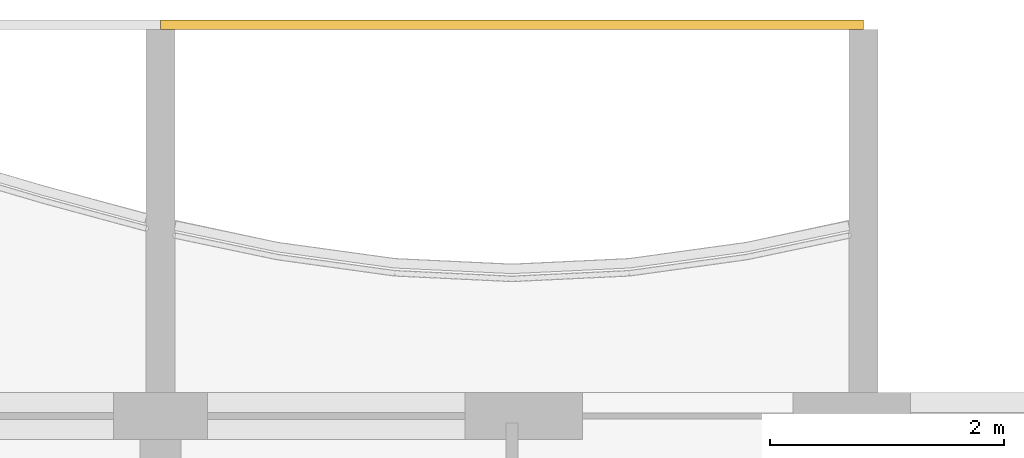
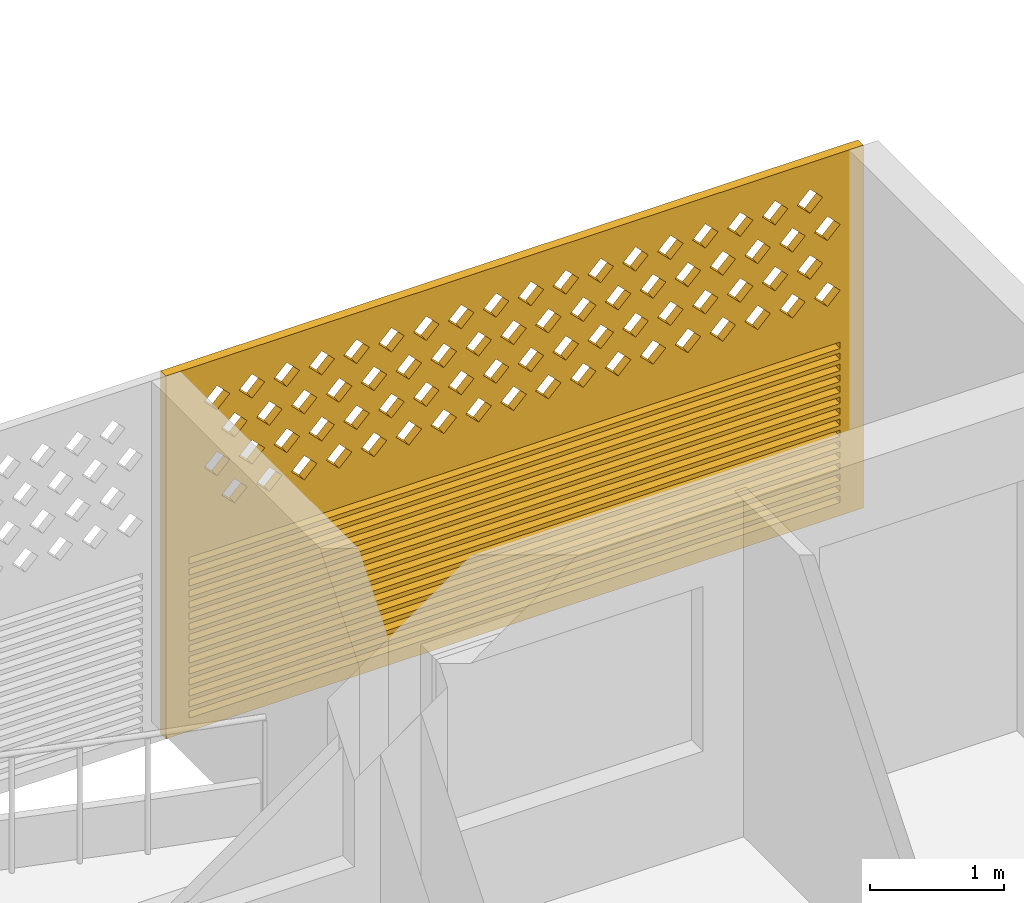
# One storey, part 24 of 31: 1 covering.
"""IFC4 building model written with IfcOpenShell, lengths in metres."""

import ifcopenshell
import ifcopenshell.guid

model = None  # the IFC model being written
_history = None  # IfcOwnerHistory: only IFC2X3 demands one
_inside = {}  # id of a spatial element -> (the spatial element, [elements in it])
_under = {}  # id of a project, library or spatial element -> (it, [spatial elements below it])
_declared = {}  # id of a project -> (the project, [libraries it declares])
_typed = {}  # id of a type object -> (the type object, [elements of that type])
_made_of = {}  # id of a material, layer set ... -> (it, [elements and type objects made of it])


def new_model(schema):
    """Start an empty IFC model of exactly this schema.

    Asked for "IFC4X3", IfcOpenShell would pick the latest addendum, in which some entities
    have other attributes; the version numbers below select the first issue.
    IFC2X3 requires an IfcOwnerHistory on every rooted entity: one is made here for all.
    """
    global model, _history
    if schema == "IFC4X3":
        model = ifcopenshell.file(schema_version=(4, 3, 0, 0))
    else:
        model = ifcopenshell.file(schema=schema)
    _inside.clear()
    _under.clear()
    _declared.clear()
    _typed.clear()
    _made_of.clear()
    _history = None
    if model.schema == "IFC2X3":
        org = make("IfcOrganization", Name="unknown")
        user = make(
            "IfcPersonAndOrganization",
            ThePerson=make("IfcPerson", FamilyName="unknown"),
            TheOrganization=org,
        )
        app = make(
            "IfcApplication",
            ApplicationDeveloper=org,
            Version="unknown",
            ApplicationFullName="unknown",
            ApplicationIdentifier="unknown",
        )
        _history = make(
            "IfcOwnerHistory",
            OwningUser=user,
            OwningApplication=app,
            ChangeAction="ADDED",
            CreationDate=0,
        )
    return model


def make(cls, **values):
    """One entity of the class cls with the attributes given. An attribute that is None is left unset."""
    return model.create_entity(
        cls, **{name: value for name, value in values.items() if value is not None}
    )


def rooted(cls, **values):
    """An entity with a GlobalId (a new one), such as an element, a storey or a relation."""
    return make(cls, GlobalId=ifcopenshell.guid.new(), OwnerHistory=_history, **values)


def si_unit(unit_type, name, prefix=None):
    """IfcSIUnit, for example si_unit("LENGTHUNIT", "METRE", prefix="MILLI")."""
    return make("IfcSIUnit", UnitType=unit_type, Prefix=prefix, Name=name)


def assignment(units):
    """IfcUnitAssignment: the units of a project."""
    return None if units is None else make("IfcUnitAssignment", Units=units)


def point(xyz):
    """IfcCartesianPoint."""
    return None if xyz is None else make("IfcCartesianPoint", Coordinates=xyz)


def direction(xyz):
    """IfcDirection."""
    return None if xyz is None else make("IfcDirection", DirectionRatios=xyz)


def frame(location, z_axis=None, x_axis=None):
    """IfcAxis2Placement3D, a coordinate frame: its origin and axes. An axis left out is left unset."""
    return make(
        "IfcAxis2Placement3D",
        Location=point(location),
        Axis=direction(z_axis),
        RefDirection=direction(x_axis),
    )


def origin():
    """The frame at (0, 0, 0) with its axes left unset."""
    return frame((0.0, 0.0, 0.0))


def place(relative_to, where):
    """IfcLocalPlacement: puts the frame where relative to a parent placement (None: the world)."""
    return make(
        "IfcLocalPlacement", PlacementRelTo=relative_to, RelativePlacement=where
    )


def context(
    kind, dimensions, precision=None, world=None, true_north=None, identifier=None
):
    """IfcGeometricRepresentationContext, for example the 3D "Model" context."""
    return make(
        "IfcGeometricRepresentationContext",
        ContextIdentifier=identifier,
        ContextType=kind,
        CoordinateSpaceDimension=dimensions,
        Precision=precision,
        WorldCoordinateSystem=world,
        TrueNorth=true_north,
    )


def subcontext(parent, identifier, kind, view, scale=None):
    """IfcGeometricRepresentationSubContext, for example "Body" below "Model"."""
    return make(
        "IfcGeometricRepresentationSubContext",
        ContextIdentifier=identifier,
        ContextType=kind,
        ParentContext=parent,
        TargetScale=scale,
        TargetView=view,
    )


def project(units=None, contexts=None):
    """IfcProject with its units and contexts."""
    return rooted(
        "IfcProject",
        Name="project",
        RepresentationContexts=contexts,
        UnitsInContext=assignment(units),
    )


def spatial(cls, under=None, at=None, **own):
    """A site, building, storey or space (cls), placed at a placement, below another one or the project."""
    s = rooted(cls, ObjectPlacement=at, **own)
    if under is not None:
        _under.setdefault(under.id(), (under, []))[1].append(s)
    return s


def polyline(points):
    """IfcPolyline through the points."""
    return make("IfcPolyline", Points=[point(p) for p in points])


def outline(outer, holes=None, kind="AREA"):
    """IfcArbitraryClosedProfileDef: a profile drawn as a closed curve; with holes, ...WithVoids."""
    if holes is None:
        return make("IfcArbitraryClosedProfileDef", ProfileType=kind, OuterCurve=outer)
    return make(
        "IfcArbitraryProfileDefWithVoids",
        ProfileType=kind,
        OuterCurve=outer,
        InnerCurves=holes,
    )


def extrude(swept, where, along, depth):
    """IfcExtrudedAreaSolid: the profile swept, set in the frame where, extruded along a direction by depth."""
    return make(
        "IfcExtrudedAreaSolid",
        SweptArea=swept,
        Position=where,
        ExtrudedDirection=direction(along),
        Depth=depth,
    )


def shape(context_of_items, identifier, shape_type, items):
    """IfcShapeRepresentation: the items that make up one representation, for example the "Body"."""
    return make(
        "IfcShapeRepresentation",
        ContextOfItems=context_of_items,
        RepresentationIdentifier=identifier,
        RepresentationType=shape_type,
        Items=items,
    )


def source(mapping_origin, context_of_items, identifier, shape_type, items):
    """IfcRepresentationMap: a shape defined once, which mapped items show again and again."""
    return make(
        "IfcRepresentationMap",
        MappingOrigin=mapping_origin,
        MappedRepresentation=shape(context_of_items, identifier, shape_type, items),
    )


def transform(
    local_origin,
    x_axis=None,
    y_axis=None,
    z_axis=None,
    scale=None,
    scale2=None,
    scale3=None,
    uniform=True,
):
    """IfcCartesianTransformationOperator3D, or its non-uniform kind. x_axis, y_axis, z_axis: its Axis1, 2, 3."""
    if uniform:
        return make(
            "IfcCartesianTransformationOperator3D",
            Axis1=direction(x_axis),
            Axis2=direction(y_axis),
            LocalOrigin=point(local_origin),
            Scale=scale,
            Axis3=direction(z_axis),
        )
    return make(
        "IfcCartesianTransformationOperator3DnonUniform",
        Axis1=direction(x_axis),
        Axis2=direction(y_axis),
        LocalOrigin=point(local_origin),
        Scale=scale,
        Axis3=direction(z_axis),
        Scale2=scale2,
        Scale3=scale3,
    )


def mapped(mapping_source, mapping_target):
    """IfcMappedItem: shows the shape of a source again, moved by a transform."""
    return make(
        "IfcMappedItem", MappingSource=mapping_source, MappingTarget=mapping_target
    )


def material(Name=None, Category=None):
    """IfcMaterial."""
    return make("IfcMaterial", Name=Name, Category=Category)


def material_profile(
    of_material, cross_section, Name=None, Category=None, Priority=None
):
    """IfcMaterialProfile: a cross section and its material."""
    return make(
        "IfcMaterialProfile",
        Name=Name,
        Material=of_material,
        Profile=cross_section,
        Priority=Priority,
        Category=Category,
    )


def profile_set(profiles, Name=None, composite=None):
    """IfcMaterialProfileSet."""
    return make(
        "IfcMaterialProfileSet",
        Name=Name,
        MaterialProfiles=profiles,
        CompositeProfile=composite,
    )


def made_of(thing, what):
    """Note that an element or type object is made of a material, layer set ...; save() writes the relation."""
    if what is not None:
        _made_of.setdefault(what.id(), (what, []))[1].append(thing)
    return thing


def type_object(cls, material=None, **own):
    """A type object (cls), such as IfcWallType, which elements share."""
    return made_of(rooted(cls, **own), material)


def element(
    cls,
    number,
    at=None,
    inside=None,
    cuts=None,
    type_object=None,
    material=None,
    context=None,
    identifier="Body",
    shape_type=None,
    held_by="IfcProductDefinitionShape",
    body=None,
    shapes=None,
    **own,
):
    """One element of the class cls, such as IfcWall. Its Tag is "e" and its number.

    at: its placement. inside: the storey or other place that contains it. cuts: it is an
    opening in that element (IfcRelVoidsElement). A single representation is given by context,
    identifier, shape_type and body (its items); several are given by shapes. held_by: the class
    of the entity that holds the representations. save() writes the other relations.
    """
    e = rooted(cls, Tag="e%d" % number, ObjectPlacement=at, **own)
    if body is not None:
        shapes = [shape(context, identifier, shape_type, body)]
    if shapes is not None:
        e.Representation = make(held_by, Representations=shapes)
    if inside is not None:
        _inside.setdefault(inside.id(), (inside, []))[1].append(e)
    if cuts is not None:
        rooted(
            "IfcRelVoidsElement", RelatingBuildingElement=cuts, RelatedOpeningElement=e
        )
    if type_object is not None:
        _typed.setdefault(type_object.id(), (type_object, []))[1].append(e)
    return made_of(e, material)


def aggregate(whole, parts):
    """IfcRelAggregates: a whole, such as a stair, and the parts it consists of."""
    return rooted("IfcRelAggregates", RelatingObject=whole, RelatedObjects=parts)


def save(model, path):
    """Write the relations noted so far, then the file.

    IfcRelAggregates (storeys below a building ...), IfcRelContainedInSpatialStructure (elements
    in a storey), IfcRelDefinesByType, IfcRelAssociatesMaterial and IfcRelDeclares: one each for
    every whole, place, type object, material and project.
    """
    for whole, parts in _under.values():
        aggregate(whole, parts)
    for where, things in _inside.values():
        rooted(
            "IfcRelContainedInSpatialStructure",
            RelatedElements=things,
            RelatingStructure=where,
        )
    for kind, things in _typed.values():
        rooted("IfcRelDefinesByType", RelatedObjects=things, RelatingType=kind)
    for what, things in _made_of.values():
        rooted("IfcRelAssociatesMaterial", RelatedObjects=things, RelatingMaterial=what)
    for by, libraries in _declared.values():
        rooted("IfcRelDeclares", RelatingContext=by, RelatedDefinitions=libraries)
    model.write(path)


model = new_model("IFC4")

# Units and contexts
model_context = context("Model", 3, precision=1e-05, world=origin(), true_north=direction((0.0, 1.0)))
body_context = subcontext(model_context, "Body", "Model", "MODEL_VIEW")
ifc_project = project(units=[si_unit("LENGTHUNIT", "METRE"), si_unit("AREAUNIT", "SQUARE_METRE"), si_unit("VOLUMEUNIT", "CUBIC_METRE"), si_unit("PLANEANGLEUNIT", "RADIAN"), si_unit("MASSUNIT", "GRAM", prefix="KILO")], contexts=[model_context])

# Site, building, storey
site_placement = place(None, origin())
site = spatial("IfcSite", under=ifc_project, at=site_placement, CompositionType="ELEMENT")
building_placement = place(site_placement, origin())
building = spatial("IfcBuilding", under=site, at=building_placement, Name="Poui Terraces", CompositionType="ELEMENT")
storey_placement = place(building_placement, frame((0.0, 0.0, 82.800048828125)))
storey = spatial("IfcBuildingStorey", under=building, at=storey_placement, Name="L22", CompositionType="ELEMENT", Elevation=82.800048828125)

# Covering
ifc_material = material(Name="Terracotta screen", Category="masonry")
ifc_material_profile = material_profile(ifc_material, outline(polyline([(-3.0, -1.64990234375), (3.0, -1.64990234375), (3.0, 1.64990234375), (-3.0, 1.64990234375), (-3.0, -1.64990234375)]), holes=[polyline([(-2.800048828125, 0.39990234375), (-2.68994140625, 0.2900390625), (-2.580078125, 0.39990234375), (-2.68994140625, 0.510009765625), (-2.800048828125, 0.39990234375)]), polyline([(-2.5, 0.39990234375), (-2.389892578125, 0.2900390625), (-2.280029296875, 0.39990234375), (-2.389892578125, 0.510009765625), (-2.5, 0.39990234375)]), polyline([(-2.199951171875, 0.39990234375), (-2.090087890625, 0.2900390625), (-1.97998046875, 0.39990234375), (-2.090087890625, 0.510009765625), (-2.199951171875, 0.39990234375)]), polyline([(-1.89990234375, 0.39990234375), (-1.7900390625, 0.2900390625), (-1.679931640625, 0.39990234375), (-1.7900390625, 0.510009765625), (-1.89990234375, 0.39990234375)]), polyline([(-1.60009765625, 0.39990234375), (-1.489990234375, 0.2900390625), (-1.3798828125, 0.39990234375), (-1.489990234375, 0.510009765625), (-1.60009765625, 0.39990234375)]), polyline([(-1.300048828125, 0.39990234375), (-1.18994140625, 0.2900390625), (-1.080078125, 0.39990234375), (-1.18994140625, 0.510009765625), (-1.300048828125, 0.39990234375)]), polyline([(-1.0, 0.39990234375), (-0.889892578125, 0.2900390625), (-0.780029296875, 0.39990234375), (-0.889892578125, 0.510009765625), (-1.0, 0.39990234375)]), polyline([(-0.699951171875, 0.39990234375), (-0.590087890625, 0.2900390625), (-0.47998046875, 0.39990234375), (-0.590087890625, 0.510009765625), (-0.699951171875, 0.39990234375)]), polyline([(-0.39990234375, 0.39990234375), (-0.2900390625, 0.2900390625), (-0.179931640625, 0.39990234375), (-0.2900390625, 0.510009765625), (-0.39990234375, 0.39990234375)]), polyline([(-0.10009765625, 0.39990234375), (0.010009765625, 0.2900390625), (0.1201171875, 0.39990234375), (0.010009765625, 0.510009765625), (-0.10009765625, 0.39990234375)]), polyline([(0.199951171875, 0.39990234375), (0.31005859375, 0.2900390625), (0.419921875, 0.39990234375), (0.31005859375, 0.510009765625), (0.199951171875, 0.39990234375)]), polyline([(0.5, 0.39990234375), (0.610107421875, 0.2900390625), (0.719970703125, 0.39990234375), (0.610107421875, 0.510009765625), (0.5, 0.39990234375)]), polyline([(0.800048828125, 0.39990234375), (0.909912109375, 0.2900390625), (1.02001953125, 0.39990234375), (0.909912109375, 0.510009765625), (0.800048828125, 0.39990234375)]), polyline([(1.10009765625, 0.39990234375), (1.2099609375, 0.2900390625), (1.320068359375, 0.39990234375), (1.2099609375, 0.510009765625), (1.10009765625, 0.39990234375)]), polyline([(1.39990234375, 0.39990234375), (1.510009765625, 0.2900390625), (1.6201171875, 0.39990234375), (1.510009765625, 0.510009765625), (1.39990234375, 0.39990234375)]), polyline([(1.699951171875, 0.39990234375), (1.81005859375, 0.2900390625), (1.919921875, 0.39990234375), (1.81005859375, 0.510009765625), (1.699951171875, 0.39990234375)]), polyline([(2.0, 0.39990234375), (2.110107421875, 0.2900390625), (2.219970703125, 0.39990234375), (2.110107421875, 0.510009765625), (2.0, 0.39990234375)]), polyline([(2.300048828125, 0.39990234375), (2.409912109375, 0.2900390625), (2.52001953125, 0.39990234375), (2.409912109375, 0.510009765625), (2.300048828125, 0.39990234375)]), polyline([(-2.64990234375, 0.699951171875), (-2.5400390625, 0.590087890625), (-2.429931640625, 0.699951171875), (-2.5400390625, 0.81005859375), (-2.64990234375, 0.699951171875)]), polyline([(-2.35009765625, 0.699951171875), (-2.239990234375, 0.590087890625), (-2.1298828125, 0.699951171875), (-2.239990234375, 0.81005859375), (-2.35009765625, 0.699951171875)]), polyline([(-2.050048828125, 0.699951171875), (-1.93994140625, 0.590087890625), (-1.830078125, 0.699951171875), (-1.93994140625, 0.81005859375), (-2.050048828125, 0.699951171875)]), polyline([(-1.75, 0.699951171875), (-1.639892578125, 0.590087890625), (-1.530029296875, 0.699951171875), (-1.639892578125, 0.81005859375), (-1.75, 0.699951171875)]), polyline([(-1.449951171875, 0.699951171875), (-1.340087890625, 0.590087890625), (-1.22998046875, 0.699951171875), (-1.340087890625, 0.81005859375), (-1.449951171875, 0.699951171875)]), polyline([(-1.14990234375, 0.699951171875), (-1.0400390625, 0.590087890625), (-0.929931640625, 0.699951171875), (-1.0400390625, 0.81005859375), (-1.14990234375, 0.699951171875)]), polyline([(-0.85009765625, 0.699951171875), (-0.739990234375, 0.590087890625), (-0.6298828125, 0.699951171875), (-0.739990234375, 0.81005859375), (-0.85009765625, 0.699951171875)]), polyline([(-0.550048828125, 0.699951171875), (-0.43994140625, 0.590087890625), (-0.330078125, 0.699951171875), (-0.43994140625, 0.81005859375), (-0.550048828125, 0.699951171875)]), polyline([(-0.25, 0.699951171875), (-0.139892578125, 0.590087890625), (-0.030029296875, 0.699951171875), (-0.139892578125, 0.81005859375), (-0.25, 0.699951171875)]), polyline([(0.050048828125, 0.699951171875), (0.159912109375, 0.590087890625), (0.27001953125, 0.699951171875), (0.159912109375, 0.81005859375), (0.050048828125, 0.699951171875)]), polyline([(0.35009765625, 0.699951171875), (0.4599609375, 0.590087890625), (0.570068359375, 0.699951171875), (0.4599609375, 0.81005859375), (0.35009765625, 0.699951171875)]), polyline([(0.64990234375, 0.699951171875), (0.760009765625, 0.590087890625), (0.8701171875, 0.699951171875), (0.760009765625, 0.81005859375), (0.64990234375, 0.699951171875)]), polyline([(0.949951171875, 0.699951171875), (1.06005859375, 0.590087890625), (1.169921875, 0.699951171875), (1.06005859375, 0.81005859375), (0.949951171875, 0.699951171875)]), polyline([(1.25, 0.699951171875), (1.360107421875, 0.590087890625), (1.469970703125, 0.699951171875), (1.360107421875, 0.81005859375), (1.25, 0.699951171875)]), polyline([(1.550048828125, 0.699951171875), (1.659912109375, 0.590087890625), (1.77001953125, 0.699951171875), (1.659912109375, 0.81005859375), (1.550048828125, 0.699951171875)]), polyline([(1.85009765625, 0.699951171875), (1.9599609375, 0.590087890625), (2.070068359375, 0.699951171875), (1.9599609375, 0.81005859375), (1.85009765625, 0.699951171875)]), polyline([(2.14990234375, 0.699951171875), (2.260009765625, 0.590087890625), (2.3701171875, 0.699951171875), (2.260009765625, 0.81005859375), (2.14990234375, 0.699951171875)]), polyline([(2.449951171875, 0.699951171875), (2.56005859375, 0.590087890625), (2.669921875, 0.699951171875), (2.56005859375, 0.81005859375), (2.449951171875, 0.699951171875)]), polyline([(-2.800048828125, 1.0), (-2.68994140625, 0.889892578125), (-2.580078125, 1.0), (-2.68994140625, 1.110107421875), (-2.800048828125, 1.0)]), polyline([(-2.5, 1.0), (-2.389892578125, 0.889892578125), (-2.280029296875, 1.0), (-2.389892578125, 1.110107421875), (-2.5, 1.0)]), polyline([(-2.199951171875, 1.0), (-2.090087890625, 0.889892578125), (-1.97998046875, 1.0), (-2.090087890625, 1.110107421875), (-2.199951171875, 1.0)]), polyline([(-1.89990234375, 1.0), (-1.7900390625, 0.889892578125), (-1.679931640625, 1.0), (-1.7900390625, 1.110107421875), (-1.89990234375, 1.0)]), polyline([(-1.60009765625, 1.0), (-1.489990234375, 0.889892578125), (-1.3798828125, 1.0), (-1.489990234375, 1.110107421875), (-1.60009765625, 1.0)]), polyline([(-1.300048828125, 1.0), (-1.18994140625, 0.889892578125), (-1.080078125, 1.0), (-1.18994140625, 1.110107421875), (-1.300048828125, 1.0)]), polyline([(-1.0, 1.0), (-0.889892578125, 0.889892578125), (-0.780029296875, 1.0), (-0.889892578125, 1.110107421875), (-1.0, 1.0)]), polyline([(-0.699951171875, 1.0), (-0.590087890625, 0.889892578125), (-0.47998046875, 1.0), (-0.590087890625, 1.110107421875), (-0.699951171875, 1.0)]), polyline([(-0.39990234375, 1.0), (-0.2900390625, 0.889892578125), (-0.179931640625, 1.0), (-0.2900390625, 1.110107421875), (-0.39990234375, 1.0)]), polyline([(-0.10009765625, 1.0), (0.010009765625, 0.889892578125), (0.1201171875, 1.0), (0.010009765625, 1.110107421875), (-0.10009765625, 1.0)]), polyline([(0.199951171875, 1.0), (0.31005859375, 0.889892578125), (0.419921875, 1.0), (0.31005859375, 1.110107421875), (0.199951171875, 1.0)]), polyline([(0.5, 1.0), (0.610107421875, 0.889892578125), (0.719970703125, 1.0), (0.610107421875, 1.110107421875), (0.5, 1.0)]), polyline([(0.800048828125, 1.0), (0.909912109375, 0.889892578125), (1.02001953125, 1.0), (0.909912109375, 1.110107421875), (0.800048828125, 1.0)]), polyline([(1.10009765625, 1.0), (1.2099609375, 0.889892578125), (1.320068359375, 1.0), (1.2099609375, 1.110107421875), (1.10009765625, 1.0)]), polyline([(1.39990234375, 1.0), (1.510009765625, 0.889892578125), (1.6201171875, 1.0), (1.510009765625, 1.110107421875), (1.39990234375, 1.0)]), polyline([(1.699951171875, 1.0), (1.81005859375, 0.889892578125), (1.919921875, 1.0), (1.81005859375, 1.110107421875), (1.699951171875, 1.0)]), polyline([(2.0, 1.0), (2.110107421875, 0.889892578125), (2.219970703125, 1.0), (2.110107421875, 1.110107421875), (2.0, 1.0)]), polyline([(2.300048828125, 1.0), (2.409912109375, 0.889892578125), (2.52001953125, 1.0), (2.409912109375, 1.110107421875), (2.300048828125, 1.0)]), polyline([(-2.64990234375, 1.300048828125), (-2.5400390625, 1.18994140625), (-2.429931640625, 1.300048828125), (-2.5400390625, 1.409912109375), (-2.64990234375, 1.300048828125)]), polyline([(-2.35009765625, 1.300048828125), (-2.239990234375, 1.18994140625), (-2.1298828125, 1.300048828125), (-2.239990234375, 1.409912109375), (-2.35009765625, 1.300048828125)]), polyline([(-2.050048828125, 1.300048828125), (-1.93994140625, 1.18994140625), (-1.830078125, 1.300048828125), (-1.93994140625, 1.409912109375), (-2.050048828125, 1.300048828125)]), polyline([(-1.75, 1.300048828125), (-1.639892578125, 1.18994140625), (-1.530029296875, 1.300048828125), (-1.639892578125, 1.409912109375), (-1.75, 1.300048828125)]), polyline([(-1.449951171875, 1.300048828125), (-1.340087890625, 1.18994140625), (-1.22998046875, 1.300048828125), (-1.340087890625, 1.409912109375), (-1.449951171875, 1.300048828125)]), polyline([(-1.14990234375, 1.300048828125), (-1.0400390625, 1.18994140625), (-0.929931640625, 1.300048828125), (-1.0400390625, 1.409912109375), (-1.14990234375, 1.300048828125)]), polyline([(-0.85009765625, 1.300048828125), (-0.739990234375, 1.18994140625), (-0.6298828125, 1.300048828125), (-0.739990234375, 1.409912109375), (-0.85009765625, 1.300048828125)]), polyline([(-0.550048828125, 1.300048828125), (-0.43994140625, 1.18994140625), (-0.330078125, 1.300048828125), (-0.43994140625, 1.409912109375), (-0.550048828125, 1.300048828125)]), polyline([(-0.25, 1.300048828125), (-0.139892578125, 1.18994140625), (-0.030029296875, 1.300048828125), (-0.139892578125, 1.409912109375), (-0.25, 1.300048828125)]), polyline([(0.050048828125, 1.300048828125), (0.159912109375, 1.18994140625), (0.27001953125, 1.300048828125), (0.159912109375, 1.409912109375), (0.050048828125, 1.300048828125)]), polyline([(0.35009765625, 1.300048828125), (0.4599609375, 1.18994140625), (0.570068359375, 1.300048828125), (0.4599609375, 1.409912109375), (0.35009765625, 1.300048828125)]), polyline([(0.64990234375, 1.300048828125), (0.760009765625, 1.18994140625), (0.8701171875, 1.300048828125), (0.760009765625, 1.409912109375), (0.64990234375, 1.300048828125)]), polyline([(0.949951171875, 1.300048828125), (1.06005859375, 1.18994140625), (1.169921875, 1.300048828125), (1.06005859375, 1.409912109375), (0.949951171875, 1.300048828125)]), polyline([(1.25, 1.300048828125), (1.360107421875, 1.18994140625), (1.469970703125, 1.300048828125), (1.360107421875, 1.409912109375), (1.25, 1.300048828125)]), polyline([(1.550048828125, 1.300048828125), (1.659912109375, 1.18994140625), (1.77001953125, 1.300048828125), (1.659912109375, 1.409912109375), (1.550048828125, 1.300048828125)]), polyline([(1.85009765625, 1.300048828125), (1.9599609375, 1.18994140625), (2.070068359375, 1.300048828125), (1.9599609375, 1.409912109375), (1.85009765625, 1.300048828125)]), polyline([(2.14990234375, 1.300048828125), (2.260009765625, 1.18994140625), (2.3701171875, 1.300048828125), (2.260009765625, 1.409912109375), (2.14990234375, 1.300048828125)]), polyline([(2.449951171875, 1.300048828125), (2.56005859375, 1.18994140625), (2.669921875, 1.300048828125), (2.56005859375, 1.409912109375), (2.449951171875, 1.300048828125)]), polyline([(-2.800048828125, -1.530029296875), (2.800048828125, -1.530029296875), (2.800048828125, -1.469970703125), (-2.800048828125, -1.469970703125), (-2.800048828125, -1.530029296875)]), polyline([(-2.800048828125, -1.429931640625), (2.800048828125, -1.429931640625), (2.800048828125, -1.3701171875), (-2.800048828125, -1.3701171875), (-2.800048828125, -1.429931640625)]), polyline([(-2.800048828125, -1.330078125), (2.800048828125, -1.330078125), (2.800048828125, -1.27001953125), (-2.800048828125, -1.27001953125), (-2.800048828125, -1.330078125)]), polyline([(-2.800048828125, -1.22998046875), (2.800048828125, -1.22998046875), (2.800048828125, -1.169921875), (-2.800048828125, -1.169921875), (-2.800048828125, -1.22998046875)]), polyline([(-2.800048828125, -1.1298828125), (2.800048828125, -1.1298828125), (2.800048828125, -1.070068359375), (-2.800048828125, -1.070068359375), (-2.800048828125, -1.1298828125)]), polyline([(-2.800048828125, -1.030029296875), (2.800048828125, -1.030029296875), (2.800048828125, -0.969970703125), (-2.800048828125, -0.969970703125), (-2.800048828125, -1.030029296875)]), polyline([(-2.800048828125, -0.929931640625), (2.800048828125, -0.929931640625), (2.800048828125, -0.8701171875), (-2.800048828125, -0.8701171875), (-2.800048828125, -0.929931640625)]), polyline([(-2.800048828125, -0.830078125), (2.800048828125, -0.830078125), (2.800048828125, -0.77001953125), (-2.800048828125, -0.77001953125), (-2.800048828125, -0.830078125)]), polyline([(-2.800048828125, -0.72998046875), (2.800048828125, -0.72998046875), (2.800048828125, -0.669921875), (-2.800048828125, -0.669921875), (-2.800048828125, -0.72998046875)]), polyline([(-2.800048828125, -0.6298828125), (2.800048828125, -0.6298828125), (2.800048828125, -0.570068359375), (-2.800048828125, -0.570068359375), (-2.800048828125, -0.6298828125)]), polyline([(-2.800048828125, -0.530029296875), (2.800048828125, -0.530029296875), (2.800048828125, -0.469970703125), (-2.800048828125, -0.469970703125), (-2.800048828125, -0.530029296875)]), polyline([(-2.800048828125, -0.429931640625), (2.800048828125, -0.429931640625), (2.800048828125, -0.3701171875), (-2.800048828125, -0.3701171875), (-2.800048828125, -0.429931640625)]), polyline([(-2.800048828125, -0.330078125), (2.800048828125, -0.330078125), (2.800048828125, -0.27001953125), (-2.800048828125, -0.27001953125), (-2.800048828125, -0.330078125)]), polyline([(-2.800048828125, -0.22998046875), (2.800048828125, -0.22998046875), (2.800048828125, -0.169921875), (-2.800048828125, -0.169921875), (-2.800048828125, -0.22998046875)]), polyline([(-2.800048828125, -0.1298828125), (2.800048828125, -0.1298828125), (2.800048828125, -0.070068359375), (-2.800048828125, -0.070068359375), (-2.800048828125, -0.1298828125)])]), Name="TERRACOTTA SCREEN AND JALOUSIE LOUVRE 6000X3300")
ifc_profile_set = profile_set([ifc_material_profile], Name="Terracotta screen")
covering_type = type_object("IfcCoveringType", Name="TERRACOTTA SCREEN AND JALOUSIE LOUVRE 6000X3300", PredefinedType="CLADDING", material=ifc_profile_set)
shared_shape = source(origin(), body_context, "Body", "SweptSolid", [
    extrude(outline(polyline([(-3.0, -1.64990234375), (3.0, -1.64990234375), (3.0, 1.64990234375), (-3.0, 1.64990234375), (-3.0, -1.64990234375)]), holes=[polyline([(-2.800048828125, 0.39990234375), (-2.68994140625, 0.2900390625), (-2.580078125, 0.39990234375), (-2.68994140625, 0.510009765625), (-2.800048828125, 0.39990234375)]), polyline([(-2.5, 0.39990234375), (-2.389892578125, 0.2900390625), (-2.280029296875, 0.39990234375), (-2.389892578125, 0.510009765625), (-2.5, 0.39990234375)]), polyline([(-2.199951171875, 0.39990234375), (-2.090087890625, 0.2900390625), (-1.97998046875, 0.39990234375), (-2.090087890625, 0.510009765625), (-2.199951171875, 0.39990234375)]), polyline([(-1.89990234375, 0.39990234375), (-1.7900390625, 0.2900390625), (-1.679931640625, 0.39990234375), (-1.7900390625, 0.510009765625), (-1.89990234375, 0.39990234375)]), polyline([(-1.60009765625, 0.39990234375), (-1.489990234375, 0.2900390625), (-1.3798828125, 0.39990234375), (-1.489990234375, 0.510009765625), (-1.60009765625, 0.39990234375)]), polyline([(-1.300048828125, 0.39990234375), (-1.18994140625, 0.2900390625), (-1.080078125, 0.39990234375), (-1.18994140625, 0.510009765625), (-1.300048828125, 0.39990234375)]), polyline([(-1.0, 0.39990234375), (-0.889892578125, 0.2900390625), (-0.780029296875, 0.39990234375), (-0.889892578125, 0.510009765625), (-1.0, 0.39990234375)]), polyline([(-0.699951171875, 0.39990234375), (-0.590087890625, 0.2900390625), (-0.47998046875, 0.39990234375), (-0.590087890625, 0.510009765625), (-0.699951171875, 0.39990234375)]), polyline([(-0.39990234375, 0.39990234375), (-0.2900390625, 0.2900390625), (-0.179931640625, 0.39990234375), (-0.2900390625, 0.510009765625), (-0.39990234375, 0.39990234375)]), polyline([(-0.10009765625, 0.39990234375), (0.010009765625, 0.2900390625), (0.1201171875, 0.39990234375), (0.010009765625, 0.510009765625), (-0.10009765625, 0.39990234375)]), polyline([(0.199951171875, 0.39990234375), (0.31005859375, 0.2900390625), (0.419921875, 0.39990234375), (0.31005859375, 0.510009765625), (0.199951171875, 0.39990234375)]), polyline([(0.5, 0.39990234375), (0.610107421875, 0.2900390625), (0.719970703125, 0.39990234375), (0.610107421875, 0.510009765625), (0.5, 0.39990234375)]), polyline([(0.800048828125, 0.39990234375), (0.909912109375, 0.2900390625), (1.02001953125, 0.39990234375), (0.909912109375, 0.510009765625), (0.800048828125, 0.39990234375)]), polyline([(1.10009765625, 0.39990234375), (1.2099609375, 0.2900390625), (1.320068359375, 0.39990234375), (1.2099609375, 0.510009765625), (1.10009765625, 0.39990234375)]), polyline([(1.39990234375, 0.39990234375), (1.510009765625, 0.2900390625), (1.6201171875, 0.39990234375), (1.510009765625, 0.510009765625), (1.39990234375, 0.39990234375)]), polyline([(1.699951171875, 0.39990234375), (1.81005859375, 0.2900390625), (1.919921875, 0.39990234375), (1.81005859375, 0.510009765625), (1.699951171875, 0.39990234375)]), polyline([(2.0, 0.39990234375), (2.110107421875, 0.2900390625), (2.219970703125, 0.39990234375), (2.110107421875, 0.510009765625), (2.0, 0.39990234375)]), polyline([(2.300048828125, 0.39990234375), (2.409912109375, 0.2900390625), (2.52001953125, 0.39990234375), (2.409912109375, 0.510009765625), (2.300048828125, 0.39990234375)]), polyline([(-2.64990234375, 0.699951171875), (-2.5400390625, 0.590087890625), (-2.429931640625, 0.699951171875), (-2.5400390625, 0.81005859375), (-2.64990234375, 0.699951171875)]), polyline([(-2.35009765625, 0.699951171875), (-2.239990234375, 0.590087890625), (-2.1298828125, 0.699951171875), (-2.239990234375, 0.81005859375), (-2.35009765625, 0.699951171875)]), polyline([(-2.050048828125, 0.699951171875), (-1.93994140625, 0.590087890625), (-1.830078125, 0.699951171875), (-1.93994140625, 0.81005859375), (-2.050048828125, 0.699951171875)]), polyline([(-1.75, 0.699951171875), (-1.639892578125, 0.590087890625), (-1.530029296875, 0.699951171875), (-1.639892578125, 0.81005859375), (-1.75, 0.699951171875)]), polyline([(-1.449951171875, 0.699951171875), (-1.340087890625, 0.590087890625), (-1.22998046875, 0.699951171875), (-1.340087890625, 0.81005859375), (-1.449951171875, 0.699951171875)]), polyline([(-1.14990234375, 0.699951171875), (-1.0400390625, 0.590087890625), (-0.929931640625, 0.699951171875), (-1.0400390625, 0.81005859375), (-1.14990234375, 0.699951171875)]), polyline([(-0.85009765625, 0.699951171875), (-0.739990234375, 0.590087890625), (-0.6298828125, 0.699951171875), (-0.739990234375, 0.81005859375), (-0.85009765625, 0.699951171875)]), polyline([(-0.550048828125, 0.699951171875), (-0.43994140625, 0.590087890625), (-0.330078125, 0.699951171875), (-0.43994140625, 0.81005859375), (-0.550048828125, 0.699951171875)]), polyline([(-0.25, 0.699951171875), (-0.139892578125, 0.590087890625), (-0.030029296875, 0.699951171875), (-0.139892578125, 0.81005859375), (-0.25, 0.699951171875)]), polyline([(0.050048828125, 0.699951171875), (0.159912109375, 0.590087890625), (0.27001953125, 0.699951171875), (0.159912109375, 0.81005859375), (0.050048828125, 0.699951171875)]), polyline([(0.35009765625, 0.699951171875), (0.4599609375, 0.590087890625), (0.570068359375, 0.699951171875), (0.4599609375, 0.81005859375), (0.35009765625, 0.699951171875)]), polyline([(0.64990234375, 0.699951171875), (0.760009765625, 0.590087890625), (0.8701171875, 0.699951171875), (0.760009765625, 0.81005859375), (0.64990234375, 0.699951171875)]), polyline([(0.949951171875, 0.699951171875), (1.06005859375, 0.590087890625), (1.169921875, 0.699951171875), (1.06005859375, 0.81005859375), (0.949951171875, 0.699951171875)]), polyline([(1.25, 0.699951171875), (1.360107421875, 0.590087890625), (1.469970703125, 0.699951171875), (1.360107421875, 0.81005859375), (1.25, 0.699951171875)]), polyline([(1.550048828125, 0.699951171875), (1.659912109375, 0.590087890625), (1.77001953125, 0.699951171875), (1.659912109375, 0.81005859375), (1.550048828125, 0.699951171875)]), polyline([(1.85009765625, 0.699951171875), (1.9599609375, 0.590087890625), (2.070068359375, 0.699951171875), (1.9599609375, 0.81005859375), (1.85009765625, 0.699951171875)]), polyline([(2.14990234375, 0.699951171875), (2.260009765625, 0.590087890625), (2.3701171875, 0.699951171875), (2.260009765625, 0.81005859375), (2.14990234375, 0.699951171875)]), polyline([(2.449951171875, 0.699951171875), (2.56005859375, 0.590087890625), (2.669921875, 0.699951171875), (2.56005859375, 0.81005859375), (2.449951171875, 0.699951171875)]), polyline([(-2.800048828125, 1.0), (-2.68994140625, 0.889892578125), (-2.580078125, 1.0), (-2.68994140625, 1.110107421875), (-2.800048828125, 1.0)]), polyline([(-2.5, 1.0), (-2.389892578125, 0.889892578125), (-2.280029296875, 1.0), (-2.389892578125, 1.110107421875), (-2.5, 1.0)]), polyline([(-2.199951171875, 1.0), (-2.090087890625, 0.889892578125), (-1.97998046875, 1.0), (-2.090087890625, 1.110107421875), (-2.199951171875, 1.0)]), polyline([(-1.89990234375, 1.0), (-1.7900390625, 0.889892578125), (-1.679931640625, 1.0), (-1.7900390625, 1.110107421875), (-1.89990234375, 1.0)]), polyline([(-1.60009765625, 1.0), (-1.489990234375, 0.889892578125), (-1.3798828125, 1.0), (-1.489990234375, 1.110107421875), (-1.60009765625, 1.0)]), polyline([(-1.300048828125, 1.0), (-1.18994140625, 0.889892578125), (-1.080078125, 1.0), (-1.18994140625, 1.110107421875), (-1.300048828125, 1.0)]), polyline([(-1.0, 1.0), (-0.889892578125, 0.889892578125), (-0.780029296875, 1.0), (-0.889892578125, 1.110107421875), (-1.0, 1.0)]), polyline([(-0.699951171875, 1.0), (-0.590087890625, 0.889892578125), (-0.47998046875, 1.0), (-0.590087890625, 1.110107421875), (-0.699951171875, 1.0)]), polyline([(-0.39990234375, 1.0), (-0.2900390625, 0.889892578125), (-0.179931640625, 1.0), (-0.2900390625, 1.110107421875), (-0.39990234375, 1.0)]), polyline([(-0.10009765625, 1.0), (0.010009765625, 0.889892578125), (0.1201171875, 1.0), (0.010009765625, 1.110107421875), (-0.10009765625, 1.0)]), polyline([(0.199951171875, 1.0), (0.31005859375, 0.889892578125), (0.419921875, 1.0), (0.31005859375, 1.110107421875), (0.199951171875, 1.0)]), polyline([(0.5, 1.0), (0.610107421875, 0.889892578125), (0.719970703125, 1.0), (0.610107421875, 1.110107421875), (0.5, 1.0)]), polyline([(0.800048828125, 1.0), (0.909912109375, 0.889892578125), (1.02001953125, 1.0), (0.909912109375, 1.110107421875), (0.800048828125, 1.0)]), polyline([(1.10009765625, 1.0), (1.2099609375, 0.889892578125), (1.320068359375, 1.0), (1.2099609375, 1.110107421875), (1.10009765625, 1.0)]), polyline([(1.39990234375, 1.0), (1.510009765625, 0.889892578125), (1.6201171875, 1.0), (1.510009765625, 1.110107421875), (1.39990234375, 1.0)]), polyline([(1.699951171875, 1.0), (1.81005859375, 0.889892578125), (1.919921875, 1.0), (1.81005859375, 1.110107421875), (1.699951171875, 1.0)]), polyline([(2.0, 1.0), (2.110107421875, 0.889892578125), (2.219970703125, 1.0), (2.110107421875, 1.110107421875), (2.0, 1.0)]), polyline([(2.300048828125, 1.0), (2.409912109375, 0.889892578125), (2.52001953125, 1.0), (2.409912109375, 1.110107421875), (2.300048828125, 1.0)]), polyline([(-2.64990234375, 1.300048828125), (-2.5400390625, 1.18994140625), (-2.429931640625, 1.300048828125), (-2.5400390625, 1.409912109375), (-2.64990234375, 1.300048828125)]), polyline([(-2.35009765625, 1.300048828125), (-2.239990234375, 1.18994140625), (-2.1298828125, 1.300048828125), (-2.239990234375, 1.409912109375), (-2.35009765625, 1.300048828125)]), polyline([(-2.050048828125, 1.300048828125), (-1.93994140625, 1.18994140625), (-1.830078125, 1.300048828125), (-1.93994140625, 1.409912109375), (-2.050048828125, 1.300048828125)]), polyline([(-1.75, 1.300048828125), (-1.639892578125, 1.18994140625), (-1.530029296875, 1.300048828125), (-1.639892578125, 1.409912109375), (-1.75, 1.300048828125)]), polyline([(-1.449951171875, 1.300048828125), (-1.340087890625, 1.18994140625), (-1.22998046875, 1.300048828125), (-1.340087890625, 1.409912109375), (-1.449951171875, 1.300048828125)]), polyline([(-1.14990234375, 1.300048828125), (-1.0400390625, 1.18994140625), (-0.929931640625, 1.300048828125), (-1.0400390625, 1.409912109375), (-1.14990234375, 1.300048828125)]), polyline([(-0.85009765625, 1.300048828125), (-0.739990234375, 1.18994140625), (-0.6298828125, 1.300048828125), (-0.739990234375, 1.409912109375), (-0.85009765625, 1.300048828125)]), polyline([(-0.550048828125, 1.300048828125), (-0.43994140625, 1.18994140625), (-0.330078125, 1.300048828125), (-0.43994140625, 1.409912109375), (-0.550048828125, 1.300048828125)]), polyline([(-0.25, 1.300048828125), (-0.139892578125, 1.18994140625), (-0.030029296875, 1.300048828125), (-0.139892578125, 1.409912109375), (-0.25, 1.300048828125)]), polyline([(0.050048828125, 1.300048828125), (0.159912109375, 1.18994140625), (0.27001953125, 1.300048828125), (0.159912109375, 1.409912109375), (0.050048828125, 1.300048828125)]), polyline([(0.35009765625, 1.300048828125), (0.4599609375, 1.18994140625), (0.570068359375, 1.300048828125), (0.4599609375, 1.409912109375), (0.35009765625, 1.300048828125)]), polyline([(0.64990234375, 1.300048828125), (0.760009765625, 1.18994140625), (0.8701171875, 1.300048828125), (0.760009765625, 1.409912109375), (0.64990234375, 1.300048828125)]), polyline([(0.949951171875, 1.300048828125), (1.06005859375, 1.18994140625), (1.169921875, 1.300048828125), (1.06005859375, 1.409912109375), (0.949951171875, 1.300048828125)]), polyline([(1.25, 1.300048828125), (1.360107421875, 1.18994140625), (1.469970703125, 1.300048828125), (1.360107421875, 1.409912109375), (1.25, 1.300048828125)]), polyline([(1.550048828125, 1.300048828125), (1.659912109375, 1.18994140625), (1.77001953125, 1.300048828125), (1.659912109375, 1.409912109375), (1.550048828125, 1.300048828125)]), polyline([(1.85009765625, 1.300048828125), (1.9599609375, 1.18994140625), (2.070068359375, 1.300048828125), (1.9599609375, 1.409912109375), (1.85009765625, 1.300048828125)]), polyline([(2.14990234375, 1.300048828125), (2.260009765625, 1.18994140625), (2.3701171875, 1.300048828125), (2.260009765625, 1.409912109375), (2.14990234375, 1.300048828125)]), polyline([(2.449951171875, 1.300048828125), (2.56005859375, 1.18994140625), (2.669921875, 1.300048828125), (2.56005859375, 1.409912109375), (2.449951171875, 1.300048828125)]), polyline([(-2.800048828125, -1.530029296875), (2.800048828125, -1.530029296875), (2.800048828125, -1.469970703125), (-2.800048828125, -1.469970703125), (-2.800048828125, -1.530029296875)]), polyline([(-2.800048828125, -1.429931640625), (2.800048828125, -1.429931640625), (2.800048828125, -1.3701171875), (-2.800048828125, -1.3701171875), (-2.800048828125, -1.429931640625)]), polyline([(-2.800048828125, -1.330078125), (2.800048828125, -1.330078125), (2.800048828125, -1.27001953125), (-2.800048828125, -1.27001953125), (-2.800048828125, -1.330078125)]), polyline([(-2.800048828125, -1.22998046875), (2.800048828125, -1.22998046875), (2.800048828125, -1.169921875), (-2.800048828125, -1.169921875), (-2.800048828125, -1.22998046875)]), polyline([(-2.800048828125, -1.1298828125), (2.800048828125, -1.1298828125), (2.800048828125, -1.070068359375), (-2.800048828125, -1.070068359375), (-2.800048828125, -1.1298828125)]), polyline([(-2.800048828125, -1.030029296875), (2.800048828125, -1.030029296875), (2.800048828125, -0.969970703125), (-2.800048828125, -0.969970703125), (-2.800048828125, -1.030029296875)]), polyline([(-2.800048828125, -0.929931640625), (2.800048828125, -0.929931640625), (2.800048828125, -0.8701171875), (-2.800048828125, -0.8701171875), (-2.800048828125, -0.929931640625)]), polyline([(-2.800048828125, -0.830078125), (2.800048828125, -0.830078125), (2.800048828125, -0.77001953125), (-2.800048828125, -0.77001953125), (-2.800048828125, -0.830078125)]), polyline([(-2.800048828125, -0.72998046875), (2.800048828125, -0.72998046875), (2.800048828125, -0.669921875), (-2.800048828125, -0.669921875), (-2.800048828125, -0.72998046875)]), polyline([(-2.800048828125, -0.6298828125), (2.800048828125, -0.6298828125), (2.800048828125, -0.570068359375), (-2.800048828125, -0.570068359375), (-2.800048828125, -0.6298828125)]), polyline([(-2.800048828125, -0.530029296875), (2.800048828125, -0.530029296875), (2.800048828125, -0.469970703125), (-2.800048828125, -0.469970703125), (-2.800048828125, -0.530029296875)]), polyline([(-2.800048828125, -0.429931640625), (2.800048828125, -0.429931640625), (2.800048828125, -0.3701171875), (-2.800048828125, -0.3701171875), (-2.800048828125, -0.429931640625)]), polyline([(-2.800048828125, -0.330078125), (2.800048828125, -0.330078125), (2.800048828125, -0.27001953125), (-2.800048828125, -0.27001953125), (-2.800048828125, -0.330078125)]), polyline([(-2.800048828125, -0.22998046875), (2.800048828125, -0.22998046875), (2.800048828125, -0.169921875), (-2.800048828125, -0.169921875), (-2.800048828125, -0.22998046875)]), polyline([(-2.800048828125, -0.1298828125), (2.800048828125, -0.1298828125), (2.800048828125, -0.070068359375), (-2.800048828125, -0.070068359375), (-2.800048828125, -0.1298828125)])]), origin(), (0.0, 0.0, 1.0), 0.080078125),
])
covering_placement = place(storey_placement, frame((39.0, 46.89990234375, 1.449951171875), z_axis=(0.0, 1.0, 0.0), x_axis=(-1.0, 0.0, 0.0)))
element("IfcCovering", 1, at=covering_placement, inside=storey, type_object=covering_type, Name="SOLAR SCREEN AND JALOUSIE LOUVRE", PredefinedType="CLADDING", context=body_context, shape_type="MappedRepresentation", body=[
    mapped(shared_shape, transform((0.0, 0.0, 0.0))),
])

save(model, "model.ifc")
